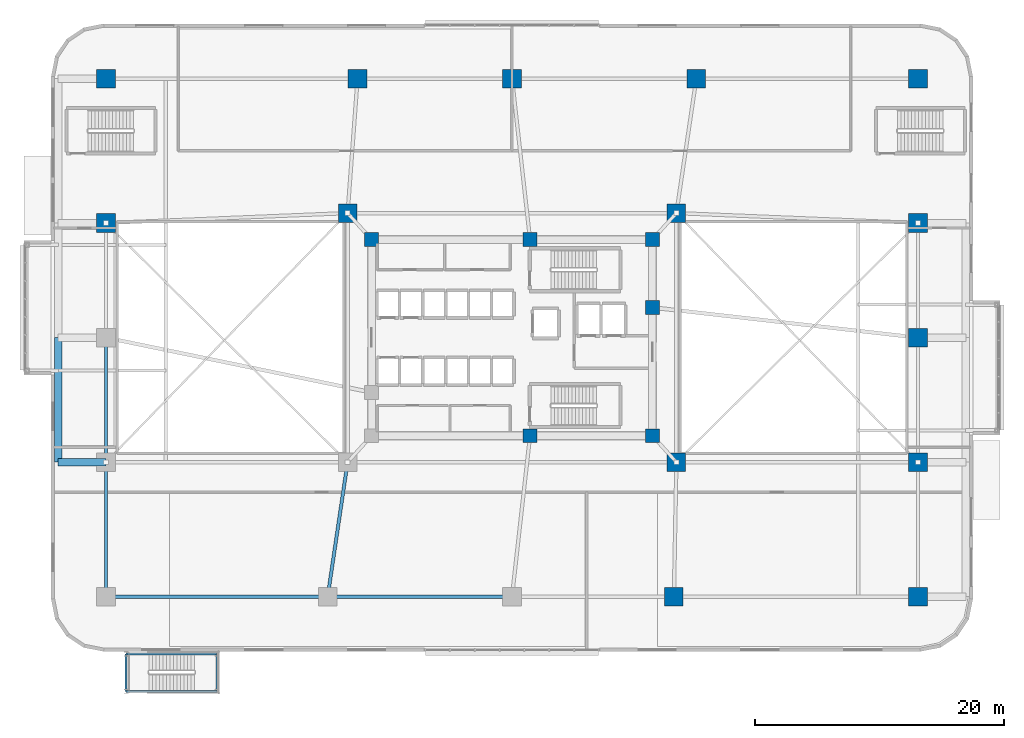
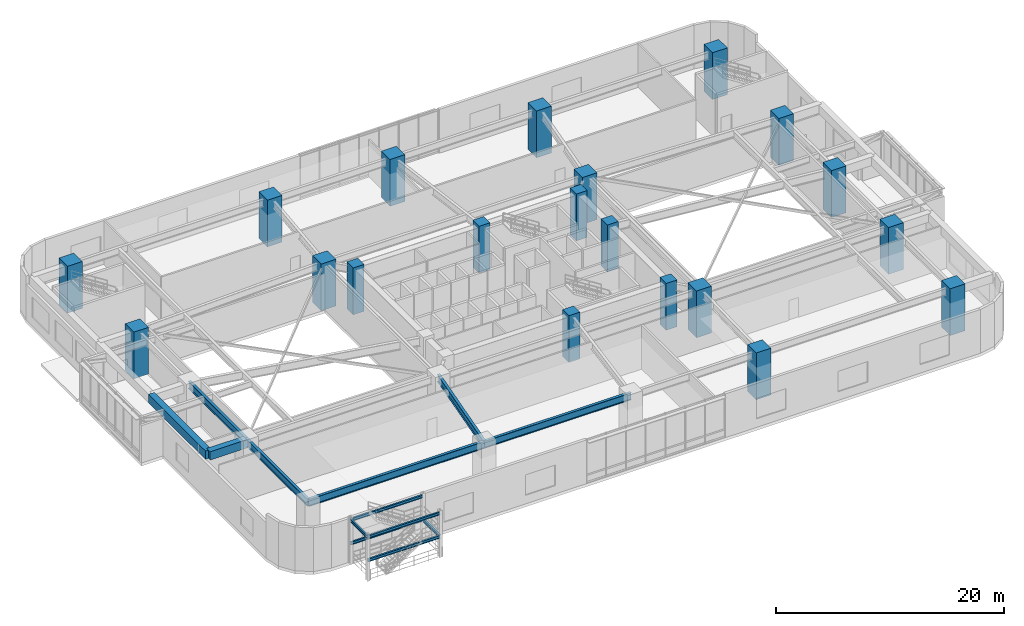
# One storey, part 2 of 26: 20 columns, 13 beams.
"""IFC4 building model written with IfcOpenShell, lengths in metres."""

from ifc_helpers import new_model, si_unit, direction, frame, origin, origin_2d, place, context, subcontext, project, spatial, rectangle, i_section, extrude, material, material_profile, profile_set, type_object, element, save


model = new_model("IFC4")

# Units and contexts
model_context = context("Model", 3, precision=1e-05, world=origin(), true_north=direction((0.0, 1.0)))
body_context = subcontext(model_context, "Body", "Model", "MODEL_VIEW")
ifc_project = project(units=[si_unit("LENGTHUNIT", "METRE"), si_unit("AREAUNIT", "SQUARE_METRE"), si_unit("VOLUMEUNIT", "CUBIC_METRE"), si_unit("PLANEANGLEUNIT", "RADIAN"), si_unit("MASSUNIT", "GRAM", prefix="KILO")], contexts=[model_context])

# Site, building, storey
site_placement = place(None, origin())
site = spatial("IfcSite", under=ifc_project, at=site_placement, CompositionType="ELEMENT")
building_placement = place(site_placement, origin())
building = spatial("IfcBuilding", under=site, at=building_placement, Name="Zulverin Broadcast Headquarters", CompositionType="ELEMENT")
storey_placement = place(building_placement, frame((0.0, 0.0, 15.0)))
storey = spatial("IfcBuildingStorey", under=building, at=storey_placement, Name="L03", CompositionType="ELEMENT", Elevation=15.0)

# Columns
ifc_material_1 = material(Name="Concrete C60/75", Category="concrete")
ifc_material_profile_1 = material_profile(ifc_material_1, rectangle(XDim=1.5, YDim=1.5, at=origin_2d()), Name="Concrete C60/75", Category="concrete")
ifc_profile_set_1 = profile_set([ifc_material_profile_1], Name="Concrete C60/75")
column_type_1 = type_object("IfcColumnType", Name="COL-RC-1500", PredefinedType="COLUMN", material=ifc_profile_set_1)
for number, where, z_axis, x_axis, name in (
    (1, (50.0, 4.39990234375, 0.0), (0.0, 0.0, 1.0), (1.0, 0.0, 0.0), "L03 Podium Mega Column P04"),
    (2, (69.60009765625, 4.39990234375, 0.0), (0.0, 0.0, 1.0), (1.0, 0.0, 0.0), "L03 Podium Mega Column P05"),
    (3, (4.39990234375, 46.0, 0.0), (0.0, 0.0, 1.0), (1.0, 0.0, 0.0), "L03 Podium Mega Column P06"),
    (4, (24.60009765625, 46.0, 0.0), (0.0, 0.0, 1.0), (1.0, 0.0, 0.0), "L03 Podium Mega Column P07"),
    (5, (37.0, 46.0, 0.0), (0.0, 0.0, 1.0), (1.0, 0.0, 0.0), "L03 Podium Mega Column P08"),
    (6, (51.800048828125, 46.0, 0.0), (0.0, 0.0, 1.0), (1.0, 0.0, 0.0), "L03 Podium Mega Column P09"),
    (7, (69.60009765625, 46.0, 0.0), (0.0, 0.0, 1.0), (1.0, 0.0, 0.0), "L03 Podium Mega Column P10"),
    (8, (4.39990234375, 34.39990234375, 0.0), (0.0, 0.0, 1.0), (1.0, 0.0, 0.0), "L03 Podium Mega Column P13"),
    (9, (69.60009765625, 15.199951171875, 0.0), (0.0, 0.0, 1.0), (1.0, 0.0, 0.0), "L03 Podium Mega Column P14"),
    (10, (69.60009765625, 25.199951171875, 0.0), (0.0, 0.0, 1.0), (1.0, 0.0, 0.0), "L03 Podium Mega Column P15"),
    (11, (69.60009765625, 34.39990234375, 0.0), (0.0, 0.0, 1.0), (1.0, 0.0, 0.0), "L03 Podium Mega Column P16"),
    (12, (50.199951171875, 15.199951171875, 0.0), (0.0, 0.0, 1.0), (1.0, 0.0, 0.0), "L03 Podium Mega Column M02"),
    (13, (50.199951171875, 35.199951171875, 0.0), (0.0, 0.0, 1.0), (1.0, 0.0, 0.0), "L03 Podium Mega Column M03"),
    (14, (23.800048828125, 35.199951171875, 0.0), (0.0, 0.0, 1.0), (1.0, 0.0, 0.0), "L03 Podium Mega Column M04"),
):
    element("IfcColumn", number, at=place(storey_placement, frame(where, z_axis=z_axis, x_axis=x_axis)), inside=storey, type_object=column_type_1, Name=name, PredefinedType="COLUMN", context=body_context, shape_type="SweptSolid", body=[
        extrude(rectangle(XDim=1.5, YDim=1.5, at=origin_2d()), origin(), (0.0, 0.0, 1.0), 5.0),
    ])
ifc_material_profile_2 = material_profile(ifc_material_1, rectangle(XDim=1.10009765625, YDim=1.10009765625, at=origin_2d()), Name="Concrete C60/75", Category="concrete")
ifc_profile_set_2 = profile_set([ifc_material_profile_2], Name="Concrete C60/75")
column_type_2 = type_object("IfcColumnType", Name="PIL-RC-1100", PredefinedType="PILASTER", material=ifc_profile_set_2)
for number, where, z_axis, x_axis, name in (
    (15, (38.449951171875, 17.324951171875, 0.0), (0.0, 0.0, 1.0), (1.0, 0.0, 0.0), "L03 Core Pilaster K02"),
    (16, (48.27490234375, 17.324951171875, 0.0), (0.0, 0.0, 1.0), (1.0, 0.0, 0.0), "L03 Core Pilaster K03"),
    (17, (48.27490234375, 27.6201171875, 0.0), (0.0, 0.0, 1.0), (1.0, 0.0, 0.0), "L03 Core Pilaster K04"),
    (18, (48.27490234375, 33.074951171875, 0.0), (0.0, 0.0, 1.0), (1.0, 0.0, 0.0), "L03 Core Pilaster K05"),
    (19, (38.449951171875, 33.074951171875, 0.0), (0.0, 0.0, 1.0), (1.0, 0.0, 0.0), "L03 Core Pilaster K06"),
    (20, (25.72509765625, 33.074951171875, 0.0), (0.0, 0.0, 1.0), (1.0, 0.0, 0.0), "L03 Core Pilaster K07"),
):
    element("IfcColumn", number, at=place(storey_placement, frame(where, z_axis=z_axis, x_axis=x_axis)), inside=storey, type_object=column_type_2, Name=name, PredefinedType="PILASTER", context=body_context, shape_type="SweptSolid", body=[
        extrude(rectangle(XDim=1.10009765625, YDim=1.10009765625, at=origin_2d()), origin(), (0.0, 0.0, 1.0), 5.0),
    ])

# Beams
ifc_material_2 = material(Name="Concrete C40/50", Category="concrete")
ifc_material_profile_3 = material_profile(ifc_material_2, rectangle(XDim=0.60009765625, YDim=0.89990234375, at=origin_2d()), Name="Concrete C40/50", Category="concrete")
ifc_profile_set_3 = profile_set([ifc_material_profile_3], Name="Concrete C40/50")
beam_type_1 = type_object("IfcBeamType", Name="BM-RC-600x900", PredefinedType="BEAM", material=ifc_profile_set_3)
beam_1_placement = place(storey_placement, frame((4.39990234375, 15.199951171875, 4.22998046875), z_axis=(-1.0, 0.0, 0.0), x_axis=(0.0, -1.0, 0.0)))
element("IfcBeam", 21, at=beam_1_placement, inside=storey, type_object=beam_type_1, Name="L03 West Perimeter Bracket Girder WBR-1", PredefinedType="BEAM", context=body_context, shape_type="SweptSolid", body=[
    extrude(rectangle(XDim=0.60009765625, YDim=0.89990234375, at=origin_2d()), origin(), (0.0, 0.0, 1.0), 3.849853515625),
])
beam_2_placement = place(storey_placement, frame((0.550048828125, 15.199951171875, 4.22998046875), z_axis=(0.0, 1.0, 0.0), x_axis=(-1.0, 0.0, 0.0)))
element("IfcBeam", 22, at=beam_2_placement, inside=storey, type_object=beam_type_1, Name="L03 West Edge Spandrel Girder WEG-1", PredefinedType="BEAM", context=body_context, shape_type="SweptSolid", body=[
    extrude(rectangle(XDim=0.60009765625, YDim=0.89990234375, at=origin_2d()), origin(), (0.0, 0.0, 1.0), 10.0),
])
ifc_material_3 = material(Name="Structural steel S355JR", Category="steel")
ifc_material_profile_4 = material_profile(ifc_material_3, i_section(OverallWidth=0.1669921875, OverallDepth=0.310302734375, WebThickness=0.0078125, FlangeThickness=0.013671875, at=origin_2d()), Name="Structural steel S355JR", Category="steel")
ifc_profile_set_4 = profile_set([ifc_material_profile_4], Name="Structural steel S355JR")
beam_type_2 = type_object("IfcBeamType", Name="BM-UB-305", PredefinedType="SPANDREL", material=ifc_profile_set_4)
beam_3_placement = place(storey_placement, frame((13.320068359375, -3.199951171875, 2.144775390625), z_axis=(0.0, 1.0, 0.0), x_axis=(-1.0, 0.0, 0.0)))
element("IfcBeam", 23, at=beam_3_placement, inside=storey, type_object=beam_type_2, Name="L03 Garden Stair Half-Landing Beam E", PredefinedType="SPANDREL", context=body_context, shape_type="SweptSolid", body=[
    extrude(i_section(OverallWidth=0.1669921875, OverallDepth=0.310302734375, WebThickness=0.0078125, FlangeThickness=0.013671875, at=origin_2d()), origin(), (0.0, 0.0, 1.0), 3.0),
])
for number, where, z_axis, x_axis, name in (
    (24, (6.02001953125, -3.199951171875, 2.144775390625), (1.0, 0.0, 0.0), (0.0, 1.0, 0.0), "L03 Garden Stair Half-Landing Stringer S"),
    (25, (6.02001953125, -0.199951171875, 2.144775390625), (1.0, 0.0, 0.0), (0.0, 1.0, 0.0), "L03 Garden Stair Half-Landing Stringer N"),
):
    element("IfcBeam", number, at=place(storey_placement, frame(where, z_axis=z_axis, x_axis=x_axis)), inside=storey, type_object=beam_type_2, Name=name, PredefinedType="SPANDREL", context=body_context, shape_type="SweptSolid", body=[
        extrude(i_section(OverallWidth=0.1669921875, OverallDepth=0.310302734375, WebThickness=0.0078125, FlangeThickness=0.013671875, at=origin_2d()), origin(), (0.0, 0.0, 1.0), 7.300048828125),
    ])
beam_4_placement = place(storey_placement, frame((6.02001953125, -3.199951171875, 4.644775390625), z_axis=(0.0, 1.0, 0.0), x_axis=(-1.0, 0.0, 0.0)))
element("IfcBeam", 26, at=beam_4_placement, inside=storey, type_object=beam_type_2, Name="L03 Garden Stair Floor-Landing Beam W", PredefinedType="SPANDREL", context=body_context, shape_type="SweptSolid", body=[
    extrude(i_section(OverallWidth=0.1669921875, OverallDepth=0.310302734375, WebThickness=0.0078125, FlangeThickness=0.013671875, at=origin_2d()), origin(), (0.0, 0.0, 1.0), 3.0),
])
for number, where, z_axis, x_axis, name in (
    (27, (6.02001953125, -3.199951171875, 4.644775390625), (1.0, 0.0, 0.0), (0.0, 1.0, 0.0), "L03 Garden Stair Upper Stringer S"),
    (28, (6.02001953125, -0.199951171875, 4.644775390625), (1.0, 0.0, 0.0), (0.0, 1.0, 0.0), "L03 Garden Stair Upper Stringer N"),
):
    element("IfcBeam", number, at=place(storey_placement, frame(where, z_axis=z_axis, x_axis=x_axis)), inside=storey, type_object=beam_type_2, Name=name, PredefinedType="SPANDREL", context=body_context, shape_type="SweptSolid", body=[
        extrude(i_section(OverallWidth=0.1669921875, OverallDepth=0.310302734375, WebThickness=0.0078125, FlangeThickness=0.013671875, at=origin_2d()), origin(), (0.0, 0.0, 1.0), 7.300048828125),
    ])
ifc_material_profile_5 = material_profile(ifc_material_3, i_section(OverallWidth=0.26806640625, OverallDepth=0.769775390625, WebThickness=0.015625, FlangeThickness=0.025390625, at=origin_2d()), Name="Structural steel S355JR", Category="steel")
ifc_profile_set_5 = profile_set([ifc_material_profile_5], Name="Structural steel S355JR")
beam_type_3 = type_object("IfcBeamType", Name="BM-UB-762", PredefinedType="BEAM", material=ifc_profile_set_5)
beam_5_placement = place(storey_placement, frame((4.39990234375, 4.39990234375, 4.295166015625), z_axis=(1.0, 0.0, 0.0), x_axis=(0.0, 1.0, 0.0)))
element("IfcBeam", 29, at=beam_5_placement, inside=storey, type_object=beam_type_3, Name="L03 Podium Primary Girder P01-P02", PredefinedType="BEAM", context=body_context, shape_type="SweptSolid", body=[
    extrude(i_section(OverallWidth=0.26806640625, OverallDepth=0.769775390625, WebThickness=0.015625, FlangeThickness=0.025390625, at=origin_2d()), origin(), (0.0, 0.0, 1.0), 17.800048828125),
])
beam_6_placement = place(storey_placement, frame((22.199951171875, 4.39990234375, 4.295166015625), z_axis=(1.0, 0.0, 0.0), x_axis=(0.0, 1.0, 0.0)))
element("IfcBeam", 30, at=beam_6_placement, inside=storey, type_object=beam_type_3, Name="L03 Podium Primary Girder P02-P03", PredefinedType="BEAM", context=body_context, shape_type="SweptSolid", body=[
    extrude(i_section(OverallWidth=0.26806640625, OverallDepth=0.769775390625, WebThickness=0.015625, FlangeThickness=0.025390625, at=origin_2d()), origin(), (0.0, 0.0, 1.0), 14.800048828125),
])
beam_7_placement = place(storey_placement, frame((4.39990234375, 25.199951171875, 4.295166015625), z_axis=(0.0, -1.0, 0.0), x_axis=(1.0, 0.0, 0.0)))
element("IfcBeam", 31, at=beam_7_placement, inside=storey, type_object=beam_type_3, Name="L03 Podium Primary Girder P12-P11", PredefinedType="BEAM", context=body_context, shape_type="SweptSolid", body=[
    extrude(i_section(OverallWidth=0.26806640625, OverallDepth=0.769775390625, WebThickness=0.015625, FlangeThickness=0.025390625, at=origin_2d()), origin(), (0.0, 0.0, 1.0), 10.0),
])
beam_8_placement = place(storey_placement, frame((4.39990234375, 15.199951171875, 4.295166015625), z_axis=(0.0, -1.0, 0.0), x_axis=(1.0, 0.0, 0.0)))
element("IfcBeam", 32, at=beam_8_placement, inside=storey, type_object=beam_type_3, Name="L03 Podium Primary Girder P11-P01", PredefinedType="BEAM", context=body_context, shape_type="SweptSolid", body=[
    extrude(i_section(OverallWidth=0.26806640625, OverallDepth=0.769775390625, WebThickness=0.015625, FlangeThickness=0.025390625, at=origin_2d()), origin(), (0.0, 0.0, 1.0), 10.800048828125),
])
beam_9_placement = place(storey_placement, frame((22.199951171875, 4.39990234375, 4.295166015625), z_axis=(0.146556765224, 0.989202261707, 0.0), x_axis=(-0.989202261707, 0.146556765224, 0.0)))
element("IfcBeam", 33, at=beam_9_placement, inside=storey, type_object=beam_type_3, Name="L03 Podium Primary Girder P02-M01", PredefinedType="BEAM", context=body_context, shape_type="SweptSolid", body=[
    extrude(i_section(OverallWidth=0.26806640625, OverallDepth=0.769775390625, WebThickness=0.015625, FlangeThickness=0.025390625, at=origin_2d()), origin(), (0.0, 0.0, 1.0), 10.91796875),
])

save(model, "model.ifc")
